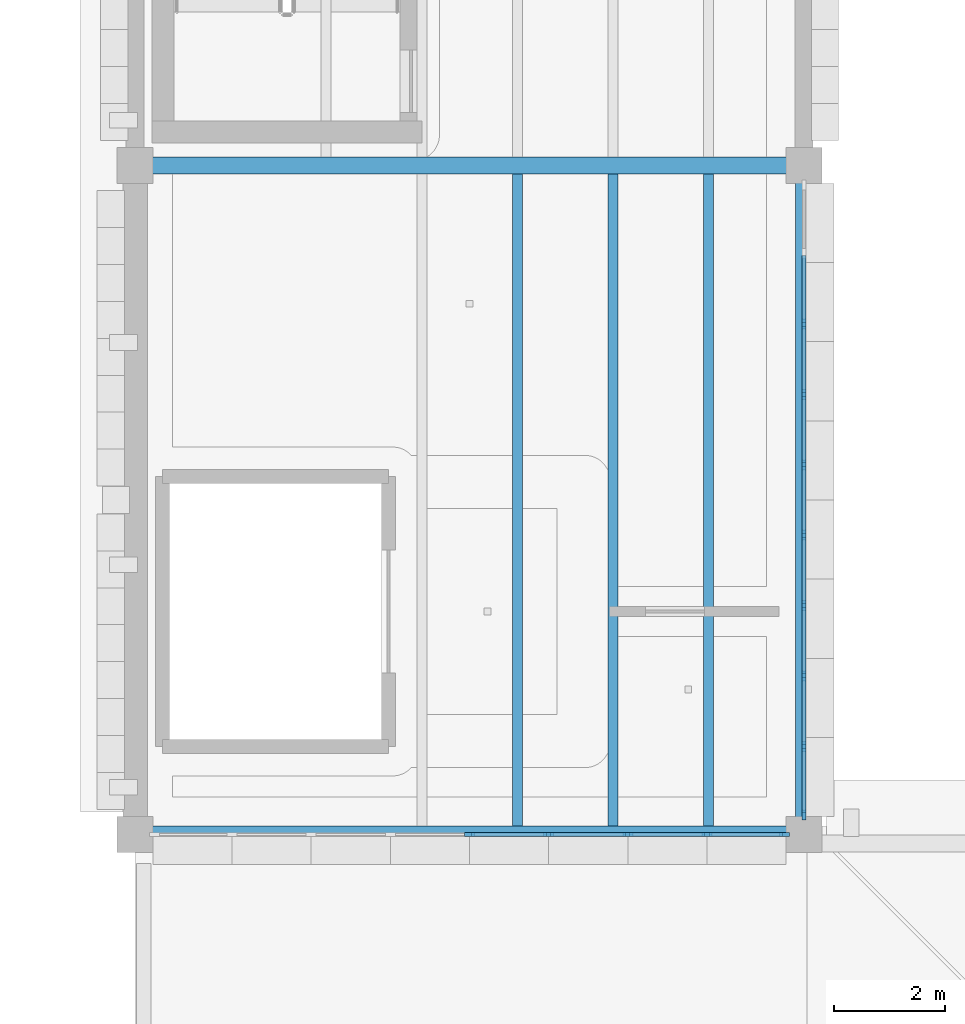
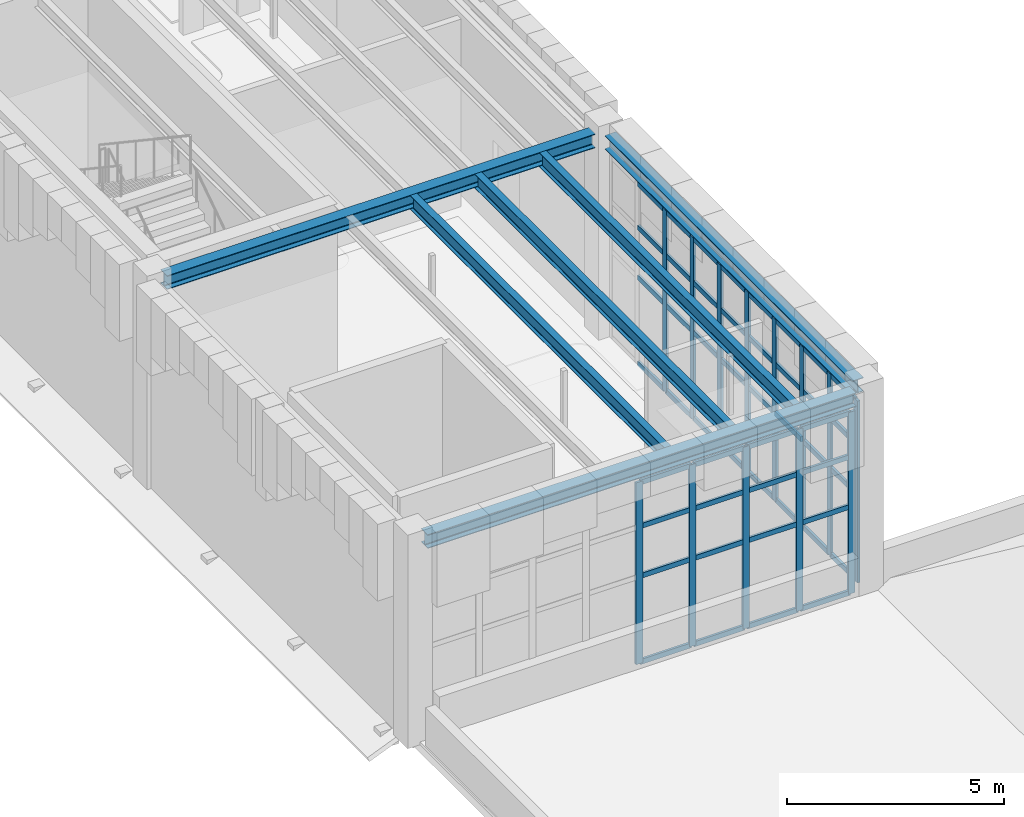
# One storey, part 30 of 83: 61 members, 6 beams, 2 elements without a shape of their own.
"""IFC4 building model written with IfcOpenShell, lengths in metres."""

from ifc_helpers import new_model, si_unit, direction, frame, origin, origin_2d, place, context, subcontext, project, spatial, rectangle, i_section, extrude, material, layer, layer_set, material_profile, profile_set, type_object, element, aggregate, save


model = new_model("IFC4")

# Units and contexts
model_context = context("Model", 3, precision=1e-05, world=origin(), true_north=direction((0.0, 1.0)))
body_context = subcontext(model_context, "Body", "Model", "MODEL_VIEW")
ifc_project = project(units=[si_unit("LENGTHUNIT", "METRE"), si_unit("AREAUNIT", "SQUARE_METRE"), si_unit("VOLUMEUNIT", "CUBIC_METRE"), si_unit("PLANEANGLEUNIT", "RADIAN"), si_unit("MASSUNIT", "GRAM", prefix="KILO")], contexts=[model_context])

# Site, building, storey
site_placement = place(None, origin())
site = spatial("IfcSite", under=ifc_project, at=site_placement, CompositionType="ELEMENT")
building_placement = place(site_placement, origin())
building = spatial("IfcBuilding", under=site, at=building_placement, Name="Zlatogorsky Bluff Art Gallery", CompositionType="ELEMENT")
storey_placement = place(building_placement, frame((0.0, 0.0, 10.800048828125)))
storey = spatial("IfcBuildingStorey", under=building, at=storey_placement, Name="L02", CompositionType="ELEMENT", Elevation=10.800048828125)

# Beams
ifc_material_1 = material(Name="Steel S355", Category="steel")
ifc_material_profile_1 = material_profile(ifc_material_1, i_section(OverallWidth=0.300048828125, OverallDepth=0.389892578125, WebThickness=0.010986328125, FlangeThickness=0.01904296875, FilletRadius=0.027099609375, at=origin_2d()), Name="HEA 400")
ifc_profile_set_1 = profile_set([ifc_material_profile_1], Name="Steel S355")
beam_type_1 = type_object("IfcBeamType", Name="Beam BM-09 HEA 400", PredefinedType="BEAM", material=ifc_profile_set_1)
for number, where, z_axis, x_axis, name in (
    (1, (120.304931640625, 50.39990234375, 5.494873046875), (1.0, 0.0, 0.0), (0.0, 1.0, 0.0), "Primary girder BM-09 L02 L-M/6"),
    (2, (120.304931640625, 62.39990234375, 5.494873046875), (1.0, 0.0, 0.0), (0.0, 1.0, 0.0), "Primary girder BM-09 L02 L-M/7"),
):
    element("IfcBeam", number, at=place(storey_placement, frame(where, z_axis=z_axis, x_axis=x_axis)), inside=storey, type_object=beam_type_1, Name=name, PredefinedType="BEAM", context=body_context, shape_type="SweptSolid", body=[
        extrude(i_section(OverallWidth=0.300048828125, OverallDepth=0.389892578125, WebThickness=0.010986328125, FlangeThickness=0.01904296875, FilletRadius=0.027099609375, at=origin_2d()), origin(), (0.0, 0.0, 1.0), 11.39013671875),
    ])
beam_placement = place(storey_placement, frame((132.0, 50.705078125, 5.494873046875), z_axis=(0.0, 1.0, 0.0), x_axis=(-1.0, 0.0, 0.0)))
element("IfcBeam", 3, at=beam_placement, inside=storey, type_object=beam_type_1, Name="Primary girder BM-09 L02 M/6-7", PredefinedType="BEAM", context=body_context, shape_type="SweptSolid", body=[
    extrude(i_section(OverallWidth=0.300048828125, OverallDepth=0.389892578125, WebThickness=0.010986328125, FlangeThickness=0.01904296875, FilletRadius=0.027099609375, at=origin_2d()), origin(), (0.0, 0.0, 1.0), 11.389892578125),
])
ifc_material_profile_2 = material_profile(ifc_material_1, i_section(OverallWidth=0.179931640625, OverallDepth=0.39990234375, WebThickness=0.008544921875, FlangeThickness=0.013427734375, FilletRadius=0.02099609375, at=origin_2d()), Name="IPE 400")
ifc_profile_set_2 = profile_set([ifc_material_profile_2], Name="Steel S355")
beam_type_2 = type_object("IfcBeamType", Name="Beam JS-05 IPE 400", PredefinedType="JOIST", material=ifc_profile_set_2)
for number, where, z_axis, x_axis, name in (
    (4, (126.857177734375, 50.550048828125, 5.489990234375), (0.0, 1.0, 0.0), (-1.0, 0.0, 0.0), "Composite floor joist JS-05 L02 10.05.4"),
    (5, (128.571533203125, 50.550048828125, 5.489990234375), (0.0, 1.0, 0.0), (-1.0, 0.0, 0.0), "Composite floor joist JS-05 L02 10.05.5"),
    (6, (130.28564453125, 50.550048828125, 5.489990234375), (0.0, 1.0, 0.0), (-1.0, 0.0, 0.0), "Composite floor joist JS-05 L02 10.05.6"),
):
    element("IfcBeam", number, at=place(storey_placement, frame(where, z_axis=z_axis, x_axis=x_axis)), inside=storey, type_object=beam_type_2, Name=name, PredefinedType="JOIST", context=body_context, shape_type="SweptSolid", body=[
        extrude(i_section(OverallWidth=0.179931640625, OverallDepth=0.39990234375, WebThickness=0.008544921875, FlangeThickness=0.013427734375, FilletRadius=0.02099609375, at=origin_2d()), origin(), (0.0, 0.0, 1.0), 11.699951171875),
    ])

# Curtain wall, members
ifc_material_2 = material(Name="Anodised Bronze Aluminium and Low-Iron Triple Glazing", Category="aluminium")
ifc_layer_1 = layer(ifc_material_2, 0.199951171875)
ifc_layer_set_1 = layer_set([ifc_layer_1], Name="Curtain Wall CW-02")
curtain_wall_type_1 = type_object("IfcCurtainWallType", Name="Curtain Wall CW-02", PredefinedType="USERDEFINED", material=ifc_layer_set_1)
curtain_wall_1_placement = place(storey_placement, origin())
curtain_wall_1 = element("IfcCurtainWall", 7, at=curtain_wall_1_placement, inside=storey, type_object=curtain_wall_type_1, Name="Unitised curtain wall CW-02 L02 S 10.5", ObjectType="CURTAIN WALL", PredefinedType="USERDEFINED")
ifc_material_3 = material(Name="Anodised Bronze Aluminium", Category="aluminium")
ifc_material_profile_3 = material_profile(ifc_material_3, rectangle(XDim=0.06494140625, YDim=0.179931640625, at=origin_2d()), Name="ALU MULLION 65x180")
ifc_profile_set_3 = profile_set([ifc_material_profile_3], Name="Anodised Bronze Aluminium")
member_type_1 = type_object("IfcMemberType", Name="Curtain Mullion ML-01", PredefinedType="MULLION", material=ifc_profile_set_3)
member_1_placement = place(storey_placement, frame((126.0, 50.39990234375, 0.0), z_axis=(0.0, 0.0, 1.0), x_axis=(0.0, 1.0, 0.0)))
member_1 = element("IfcMember", 8, at=member_1_placement, type_object=member_type_1, Name="CW-02 mullion 5", PredefinedType="MULLION", context=body_context, shape_type="SweptSolid", body=[
    extrude(rectangle(XDim=0.06494140625, YDim=0.179931640625, at=origin_2d()), origin(), (0.0, 0.0, 1.0), 5.10986328125),
])
member_2_placement = place(storey_placement, frame((127.419921875, 50.39990234375, 0.0), z_axis=(0.0, 0.0, 1.0), x_axis=(0.0, 1.0, 0.0)))
member_2 = element("IfcMember", 9, at=member_2_placement, type_object=member_type_1, Name="CW-02 mullion 6", PredefinedType="MULLION", context=body_context, shape_type="SweptSolid", body=[
    extrude(rectangle(XDim=0.06494140625, YDim=0.179931640625, at=origin_2d()), origin(), (0.0, 0.0, 1.0), 5.10986328125),
])
member_3_placement = place(storey_placement, frame((128.840087890625, 50.39990234375, 0.0), z_axis=(0.0, 0.0, 1.0), x_axis=(0.0, 1.0, 0.0)))
member_3 = element("IfcMember", 10, at=member_3_placement, type_object=member_type_1, Name="CW-02 mullion 7", PredefinedType="MULLION", context=body_context, shape_type="SweptSolid", body=[
    extrude(rectangle(XDim=0.06494140625, YDim=0.179931640625, at=origin_2d()), origin(), (0.0, 0.0, 1.0), 5.10986328125),
])
member_4_placement = place(storey_placement, frame((130.260009765625, 50.39990234375, 0.0), z_axis=(0.0, 0.0, 1.0), x_axis=(0.0, 1.0, 0.0)))
member_4 = element("IfcMember", 11, at=member_4_placement, type_object=member_type_1, Name="CW-02 mullion 8", PredefinedType="MULLION", context=body_context, shape_type="SweptSolid", body=[
    extrude(rectangle(XDim=0.06494140625, YDim=0.179931640625, at=origin_2d()), origin(), (0.0, 0.0, 1.0), 5.10986328125),
])
member_5_placement = place(storey_placement, frame((131.6474609375, 50.39990234375, 0.0), z_axis=(0.0, 0.0, 1.0), x_axis=(0.0, 1.0, 0.0)))
member_5 = element("IfcMember", 12, at=member_5_placement, type_object=member_type_1, Name="CW-02 mullion 9", PredefinedType="MULLION", context=body_context, shape_type="SweptSolid", body=[
    extrude(rectangle(XDim=0.06494140625, YDim=0.179931640625, at=origin_2d()), origin(), (0.0, 0.0, 1.0), 5.10986328125),
])

ifc_layer_2 = layer(ifc_material_2, 0.179931640625)
ifc_layer_set_2 = layer_set([ifc_layer_2], Name="Curtain Wall CW-03")
curtain_wall_type_2 = type_object("IfcCurtainWallType", Name="Curtain Wall CW-03", PredefinedType="USERDEFINED", material=ifc_layer_set_2)
curtain_wall_2_placement = place(storey_placement, origin())
curtain_wall_2 = element("IfcCurtainWall", 13, at=curtain_wall_2_placement, inside=storey, type_object=curtain_wall_type_2, Name="Unitised curtain wall CW-03 L02 E 10.5", ObjectType="CURTAIN WALL", PredefinedType="USERDEFINED")
member_6_placement = place(storey_placement, frame((132.0, 50.75244140625, 0.0), z_axis=(0.0, 0.0, 1.0), x_axis=(-1.0, 0.0, 0.0)))
member_6 = element("IfcMember", 14, at=member_6_placement, type_object=member_type_1, Name="CW-03 mullion 1", PredefinedType="MULLION", context=body_context, shape_type="SweptSolid", body=[
    extrude(rectangle(XDim=0.06494140625, YDim=0.179931640625, at=origin_2d()), origin(), (0.0, 0.0, 1.0), 5.10986328125),
])
member_7_placement = place(storey_placement, frame((132.0, 51.982177734375, 0.0), z_axis=(0.0, 0.0, 1.0), x_axis=(-1.0, 0.0, 0.0)))
member_7 = element("IfcMember", 15, at=member_7_placement, type_object=member_type_1, Name="CW-03 mullion 2", PredefinedType="MULLION", context=body_context, shape_type="SweptSolid", body=[
    extrude(rectangle(XDim=0.06494140625, YDim=0.179931640625, at=origin_2d()), origin(), (0.0, 0.0, 1.0), 5.10986328125),
])
member_8_placement = place(storey_placement, frame((132.0, 53.244384765625, 0.0), z_axis=(0.0, 0.0, 1.0), x_axis=(-1.0, 0.0, 0.0)))
member_8 = element("IfcMember", 16, at=member_8_placement, type_object=member_type_1, Name="CW-03 mullion 3", PredefinedType="MULLION", context=body_context, shape_type="SweptSolid", body=[
    extrude(rectangle(XDim=0.06494140625, YDim=0.179931640625, at=origin_2d()), origin(), (0.0, 0.0, 1.0), 5.10986328125),
])
member_9_placement = place(storey_placement, frame((132.0, 54.506591796875, 0.0), z_axis=(0.0, 0.0, 1.0), x_axis=(-1.0, 0.0, 0.0)))
member_9 = element("IfcMember", 17, at=member_9_placement, type_object=member_type_1, Name="CW-03 mullion 4", PredefinedType="MULLION", context=body_context, shape_type="SweptSolid", body=[
    extrude(rectangle(XDim=0.06494140625, YDim=0.179931640625, at=origin_2d()), origin(), (0.0, 0.0, 1.0), 5.10986328125),
])
member_10_placement = place(storey_placement, frame((132.0, 55.768798828125, 0.0), z_axis=(0.0, 0.0, 1.0), x_axis=(-1.0, 0.0, 0.0)))
member_10 = element("IfcMember", 18, at=member_10_placement, type_object=member_type_1, Name="CW-03 mullion 5", PredefinedType="MULLION", context=body_context, shape_type="SweptSolid", body=[
    extrude(rectangle(XDim=0.06494140625, YDim=0.179931640625, at=origin_2d()), origin(), (0.0, 0.0, 1.0), 5.10986328125),
])
member_11_placement = place(storey_placement, frame((132.0, 57.031005859375, 0.0), z_axis=(0.0, 0.0, 1.0), x_axis=(-1.0, 0.0, 0.0)))
member_11 = element("IfcMember", 19, at=member_11_placement, type_object=member_type_1, Name="CW-03 mullion 6", PredefinedType="MULLION", context=body_context, shape_type="SweptSolid", body=[
    extrude(rectangle(XDim=0.06494140625, YDim=0.179931640625, at=origin_2d()), origin(), (0.0, 0.0, 1.0), 5.10986328125),
])
member_12_placement = place(storey_placement, frame((132.0, 58.293212890625, 0.0), z_axis=(0.0, 0.0, 1.0), x_axis=(-1.0, 0.0, 0.0)))
member_12 = element("IfcMember", 20, at=member_12_placement, type_object=member_type_1, Name="CW-03 mullion 7", PredefinedType="MULLION", context=body_context, shape_type="SweptSolid", body=[
    extrude(rectangle(XDim=0.06494140625, YDim=0.179931640625, at=origin_2d()), origin(), (0.0, 0.0, 1.0), 5.10986328125),
])
member_13_placement = place(storey_placement, frame((132.0, 59.5556640625, 0.0), z_axis=(0.0, 0.0, 1.0), x_axis=(-1.0, 0.0, 0.0)))
member_13 = element("IfcMember", 21, at=member_13_placement, type_object=member_type_1, Name="CW-03 mullion 8", PredefinedType="MULLION", context=body_context, shape_type="SweptSolid", body=[
    extrude(rectangle(XDim=0.06494140625, YDim=0.179931640625, at=origin_2d()), origin(), (0.0, 0.0, 1.0), 5.10986328125),
])

# Member
ifc_material_profile_4 = material_profile(ifc_material_3, rectangle(XDim=0.06494140625, YDim=0.139892578125, at=origin_2d()), Name="ALU TRANSOM 65x140")
ifc_profile_set_4 = profile_set([ifc_material_profile_4], Name="Anodised Bronze Aluminium")
member_type_2 = type_object("IfcMemberType", Name="Curtain Transom TR-01", PredefinedType="USERDEFINED", material=ifc_profile_set_4)
member_14_placement = place(storey_placement, frame((126.032470703125, 50.39990234375, 0.032470703125), z_axis=(1.0, 0.0, 0.0), x_axis=(0.0, 1.0, 0.0)))
member_14 = element("IfcMember", 22, at=member_14_placement, type_object=member_type_2, Name="CW-02 transom 5.1", ObjectType="TRANSOM", PredefinedType="USERDEFINED", context=body_context, shape_type="SweptSolid", body=[
    extrude(rectangle(XDim=0.06494140625, YDim=0.139892578125, at=origin_2d()), origin(), (0.0, 0.0, 1.0), 1.35498046875),
])

member_15_placement = place(storey_placement, frame((126.032470703125, 50.39990234375, 2.449951171875), z_axis=(1.0, 0.0, 0.0), x_axis=(0.0, 1.0, 0.0)))
member_15 = element("IfcMember", 23, at=member_15_placement, type_object=member_type_2, Name="CW-02 transom 5.2", ObjectType="TRANSOM", PredefinedType="USERDEFINED", context=body_context, shape_type="SweptSolid", body=[
    extrude(rectangle(XDim=0.06494140625, YDim=0.139892578125, at=origin_2d()), origin(), (0.0, 0.0, 1.0), 1.35498046875),
])

member_16_placement = place(storey_placement, frame((126.032470703125, 50.39990234375, 3.849853515625), z_axis=(1.0, 0.0, 0.0), x_axis=(0.0, 1.0, 0.0)))
member_16 = element("IfcMember", 24, at=member_16_placement, type_object=member_type_2, Name="CW-02 transom 5.3", ObjectType="TRANSOM", PredefinedType="USERDEFINED", context=body_context, shape_type="SweptSolid", body=[
    extrude(rectangle(XDim=0.06494140625, YDim=0.139892578125, at=origin_2d()), origin(), (0.0, 0.0, 1.0), 1.35498046875),
])

member_17_placement = place(storey_placement, frame((126.032470703125, 50.39990234375, 5.077392578125), z_axis=(1.0, 0.0, 0.0), x_axis=(0.0, 1.0, 0.0)))
member_17 = element("IfcMember", 25, at=member_17_placement, type_object=member_type_2, Name="CW-02 transom 5.4", ObjectType="TRANSOM", PredefinedType="USERDEFINED", context=body_context, shape_type="SweptSolid", body=[
    extrude(rectangle(XDim=0.06494140625, YDim=0.139892578125, at=origin_2d()), origin(), (0.0, 0.0, 1.0), 1.35498046875),
])

member_18_placement = place(storey_placement, frame((127.452392578125, 50.39990234375, 0.032470703125), z_axis=(1.0, 0.0, 0.0), x_axis=(0.0, 1.0, 0.0)))
member_18 = element("IfcMember", 26, at=member_18_placement, type_object=member_type_2, Name="CW-02 transom 6.1", ObjectType="TRANSOM", PredefinedType="USERDEFINED", context=body_context, shape_type="SweptSolid", body=[
    extrude(rectangle(XDim=0.06494140625, YDim=0.139892578125, at=origin_2d()), origin(), (0.0, 0.0, 1.0), 1.355224609375),
])

member_19_placement = place(storey_placement, frame((127.452392578125, 50.39990234375, 2.449951171875), z_axis=(1.0, 0.0, 0.0), x_axis=(0.0, 1.0, 0.0)))
member_19 = element("IfcMember", 27, at=member_19_placement, type_object=member_type_2, Name="CW-02 transom 6.2", ObjectType="TRANSOM", PredefinedType="USERDEFINED", context=body_context, shape_type="SweptSolid", body=[
    extrude(rectangle(XDim=0.06494140625, YDim=0.139892578125, at=origin_2d()), origin(), (0.0, 0.0, 1.0), 1.355224609375),
])

member_20_placement = place(storey_placement, frame((127.452392578125, 50.39990234375, 3.849853515625), z_axis=(1.0, 0.0, 0.0), x_axis=(0.0, 1.0, 0.0)))
member_20 = element("IfcMember", 28, at=member_20_placement, type_object=member_type_2, Name="CW-02 transom 6.3", ObjectType="TRANSOM", PredefinedType="USERDEFINED", context=body_context, shape_type="SweptSolid", body=[
    extrude(rectangle(XDim=0.06494140625, YDim=0.139892578125, at=origin_2d()), origin(), (0.0, 0.0, 1.0), 1.355224609375),
])

member_21_placement = place(storey_placement, frame((127.452392578125, 50.39990234375, 5.077392578125), z_axis=(1.0, 0.0, 0.0), x_axis=(0.0, 1.0, 0.0)))
member_21 = element("IfcMember", 29, at=member_21_placement, type_object=member_type_2, Name="CW-02 transom 6.4", ObjectType="TRANSOM", PredefinedType="USERDEFINED", context=body_context, shape_type="SweptSolid", body=[
    extrude(rectangle(XDim=0.06494140625, YDim=0.139892578125, at=origin_2d()), origin(), (0.0, 0.0, 1.0), 1.355224609375),
])

member_22_placement = place(storey_placement, frame((128.87255859375, 50.39990234375, 0.032470703125), z_axis=(1.0, 0.0, 0.0), x_axis=(0.0, 1.0, 0.0)))
member_22 = element("IfcMember", 30, at=member_22_placement, type_object=member_type_2, Name="CW-02 transom 7.1", ObjectType="TRANSOM", PredefinedType="USERDEFINED", context=body_context, shape_type="SweptSolid", body=[
    extrude(rectangle(XDim=0.06494140625, YDim=0.139892578125, at=origin_2d()), origin(), (0.0, 0.0, 1.0), 1.35498046875),
])

member_23_placement = place(storey_placement, frame((128.87255859375, 50.39990234375, 2.449951171875), z_axis=(1.0, 0.0, 0.0), x_axis=(0.0, 1.0, 0.0)))
member_23 = element("IfcMember", 31, at=member_23_placement, type_object=member_type_2, Name="CW-02 transom 7.2", ObjectType="TRANSOM", PredefinedType="USERDEFINED", context=body_context, shape_type="SweptSolid", body=[
    extrude(rectangle(XDim=0.06494140625, YDim=0.139892578125, at=origin_2d()), origin(), (0.0, 0.0, 1.0), 1.35498046875),
])

member_24_placement = place(storey_placement, frame((128.87255859375, 50.39990234375, 3.849853515625), z_axis=(1.0, 0.0, 0.0), x_axis=(0.0, 1.0, 0.0)))
member_24 = element("IfcMember", 32, at=member_24_placement, type_object=member_type_2, Name="CW-02 transom 7.3", ObjectType="TRANSOM", PredefinedType="USERDEFINED", context=body_context, shape_type="SweptSolid", body=[
    extrude(rectangle(XDim=0.06494140625, YDim=0.139892578125, at=origin_2d()), origin(), (0.0, 0.0, 1.0), 1.35498046875),
])

member_25_placement = place(storey_placement, frame((128.87255859375, 50.39990234375, 5.077392578125), z_axis=(1.0, 0.0, 0.0), x_axis=(0.0, 1.0, 0.0)))
member_25 = element("IfcMember", 33, at=member_25_placement, type_object=member_type_2, Name="CW-02 transom 7.4", ObjectType="TRANSOM", PredefinedType="USERDEFINED", context=body_context, shape_type="SweptSolid", body=[
    extrude(rectangle(XDim=0.06494140625, YDim=0.139892578125, at=origin_2d()), origin(), (0.0, 0.0, 1.0), 1.35498046875),
])

member_26_placement = place(storey_placement, frame((130.29248046875, 50.39990234375, 0.032470703125), z_axis=(1.0, 0.0, 0.0), x_axis=(0.0, 1.0, 0.0)))
member_26 = element("IfcMember", 34, at=member_26_placement, type_object=member_type_2, Name="CW-02 transom 8.1", ObjectType="TRANSOM", PredefinedType="USERDEFINED", context=body_context, shape_type="SweptSolid", body=[
    extrude(rectangle(XDim=0.06494140625, YDim=0.139892578125, at=origin_2d()), origin(), (0.0, 0.0, 1.0), 1.322509765625),
])

member_27_placement = place(storey_placement, frame((130.29248046875, 50.39990234375, 2.449951171875), z_axis=(1.0, 0.0, 0.0), x_axis=(0.0, 1.0, 0.0)))
member_27 = element("IfcMember", 35, at=member_27_placement, type_object=member_type_2, Name="CW-02 transom 8.2", ObjectType="TRANSOM", PredefinedType="USERDEFINED", context=body_context, shape_type="SweptSolid", body=[
    extrude(rectangle(XDim=0.06494140625, YDim=0.139892578125, at=origin_2d()), origin(), (0.0, 0.0, 1.0), 1.322509765625),
])

member_28_placement = place(storey_placement, frame((130.29248046875, 50.39990234375, 3.849853515625), z_axis=(1.0, 0.0, 0.0), x_axis=(0.0, 1.0, 0.0)))
member_28 = element("IfcMember", 36, at=member_28_placement, type_object=member_type_2, Name="CW-02 transom 8.3", ObjectType="TRANSOM", PredefinedType="USERDEFINED", context=body_context, shape_type="SweptSolid", body=[
    extrude(rectangle(XDim=0.06494140625, YDim=0.139892578125, at=origin_2d()), origin(), (0.0, 0.0, 1.0), 1.322509765625),
])

member_29_placement = place(storey_placement, frame((130.29248046875, 50.39990234375, 5.077392578125), z_axis=(1.0, 0.0, 0.0), x_axis=(0.0, 1.0, 0.0)))
member_29 = element("IfcMember", 37, at=member_29_placement, type_object=member_type_2, Name="CW-02 transom 8.4", ObjectType="TRANSOM", PredefinedType="USERDEFINED", context=body_context, shape_type="SweptSolid", body=[
    extrude(rectangle(XDim=0.06494140625, YDim=0.139892578125, at=origin_2d()), origin(), (0.0, 0.0, 1.0), 1.322509765625),
])

aggregate(curtain_wall_1, [member_1, member_2, member_3, member_4, member_5, member_14, member_15, member_16, member_17, member_18, member_19, member_20, member_21, member_22, member_23, member_24, member_25, member_26, member_27, member_28, member_29])

member_30_placement = place(storey_placement, frame((132.0, 50.784912109375, 0.032470703125), z_axis=(0.0, 1.0, 0.0), x_axis=(-1.0, 0.0, 0.0)))
member_30 = element("IfcMember", 38, at=member_30_placement, type_object=member_type_2, Name="CW-03 transom 1.1", ObjectType="TRANSOM", PredefinedType="USERDEFINED", context=body_context, shape_type="SweptSolid", body=[
    extrude(rectangle(XDim=0.06494140625, YDim=0.139892578125, at=origin_2d()), origin(), (0.0, 0.0, 1.0), 1.164794921875),
])

member_31_placement = place(storey_placement, frame((132.0, 50.784912109375, 2.449951171875), z_axis=(0.0, 1.0, 0.0), x_axis=(-1.0, 0.0, 0.0)))
member_31 = element("IfcMember", 39, at=member_31_placement, type_object=member_type_2, Name="CW-03 transom 1.2", ObjectType="TRANSOM", PredefinedType="USERDEFINED", context=body_context, shape_type="SweptSolid", body=[
    extrude(rectangle(XDim=0.06494140625, YDim=0.139892578125, at=origin_2d()), origin(), (0.0, 0.0, 1.0), 1.164794921875),
])

member_32_placement = place(storey_placement, frame((132.0, 50.784912109375, 3.849853515625), z_axis=(0.0, 1.0, 0.0), x_axis=(-1.0, 0.0, 0.0)))
member_32 = element("IfcMember", 40, at=member_32_placement, type_object=member_type_2, Name="CW-03 transom 1.3", ObjectType="TRANSOM", PredefinedType="USERDEFINED", context=body_context, shape_type="SweptSolid", body=[
    extrude(rectangle(XDim=0.06494140625, YDim=0.139892578125, at=origin_2d()), origin(), (0.0, 0.0, 1.0), 1.164794921875),
])

member_33_placement = place(storey_placement, frame((132.0, 50.784912109375, 5.077392578125), z_axis=(0.0, 1.0, 0.0), x_axis=(-1.0, 0.0, 0.0)))
member_33 = element("IfcMember", 41, at=member_33_placement, type_object=member_type_2, Name="CW-03 transom 1.4", ObjectType="TRANSOM", PredefinedType="USERDEFINED", context=body_context, shape_type="SweptSolid", body=[
    extrude(rectangle(XDim=0.06494140625, YDim=0.139892578125, at=origin_2d()), origin(), (0.0, 0.0, 1.0), 1.164794921875),
])

member_34_placement = place(storey_placement, frame((132.0, 52.0146484375, 0.032470703125), z_axis=(0.0, 1.0, 0.0), x_axis=(-1.0, 0.0, 0.0)))
member_34 = element("IfcMember", 42, at=member_34_placement, type_object=member_type_2, Name="CW-03 transom 2.1", ObjectType="TRANSOM", PredefinedType="USERDEFINED", context=body_context, shape_type="SweptSolid", body=[
    extrude(rectangle(XDim=0.06494140625, YDim=0.139892578125, at=origin_2d()), origin(), (0.0, 0.0, 1.0), 1.197265625),
])

member_35_placement = place(storey_placement, frame((132.0, 52.0146484375, 2.449951171875), z_axis=(0.0, 1.0, 0.0), x_axis=(-1.0, 0.0, 0.0)))
member_35 = element("IfcMember", 43, at=member_35_placement, type_object=member_type_2, Name="CW-03 transom 2.2", ObjectType="TRANSOM", PredefinedType="USERDEFINED", context=body_context, shape_type="SweptSolid", body=[
    extrude(rectangle(XDim=0.06494140625, YDim=0.139892578125, at=origin_2d()), origin(), (0.0, 0.0, 1.0), 1.197265625),
])

member_36_placement = place(storey_placement, frame((132.0, 52.0146484375, 3.849853515625), z_axis=(0.0, 1.0, 0.0), x_axis=(-1.0, 0.0, 0.0)))
member_36 = element("IfcMember", 44, at=member_36_placement, type_object=member_type_2, Name="CW-03 transom 2.3", ObjectType="TRANSOM", PredefinedType="USERDEFINED", context=body_context, shape_type="SweptSolid", body=[
    extrude(rectangle(XDim=0.06494140625, YDim=0.139892578125, at=origin_2d()), origin(), (0.0, 0.0, 1.0), 1.197265625),
])

member_37_placement = place(storey_placement, frame((132.0, 52.0146484375, 5.077392578125), z_axis=(0.0, 1.0, 0.0), x_axis=(-1.0, 0.0, 0.0)))
member_37 = element("IfcMember", 45, at=member_37_placement, type_object=member_type_2, Name="CW-03 transom 2.4", ObjectType="TRANSOM", PredefinedType="USERDEFINED", context=body_context, shape_type="SweptSolid", body=[
    extrude(rectangle(XDim=0.06494140625, YDim=0.139892578125, at=origin_2d()), origin(), (0.0, 0.0, 1.0), 1.197265625),
])

member_38_placement = place(storey_placement, frame((132.0, 53.27685546875, 0.032470703125), z_axis=(0.0, 1.0, 0.0), x_axis=(-1.0, 0.0, 0.0)))
member_38 = element("IfcMember", 46, at=member_38_placement, type_object=member_type_2, Name="CW-03 transom 3.1", ObjectType="TRANSOM", PredefinedType="USERDEFINED", context=body_context, shape_type="SweptSolid", body=[
    extrude(rectangle(XDim=0.06494140625, YDim=0.139892578125, at=origin_2d()), origin(), (0.0, 0.0, 1.0), 1.197265625),
])

member_39_placement = place(storey_placement, frame((132.0, 53.27685546875, 2.449951171875), z_axis=(0.0, 1.0, 0.0), x_axis=(-1.0, 0.0, 0.0)))
member_39 = element("IfcMember", 47, at=member_39_placement, type_object=member_type_2, Name="CW-03 transom 3.2", ObjectType="TRANSOM", PredefinedType="USERDEFINED", context=body_context, shape_type="SweptSolid", body=[
    extrude(rectangle(XDim=0.06494140625, YDim=0.139892578125, at=origin_2d()), origin(), (0.0, 0.0, 1.0), 1.197265625),
])

member_40_placement = place(storey_placement, frame((132.0, 53.27685546875, 3.849853515625), z_axis=(0.0, 1.0, 0.0), x_axis=(-1.0, 0.0, 0.0)))
member_40 = element("IfcMember", 48, at=member_40_placement, type_object=member_type_2, Name="CW-03 transom 3.3", ObjectType="TRANSOM", PredefinedType="USERDEFINED", context=body_context, shape_type="SweptSolid", body=[
    extrude(rectangle(XDim=0.06494140625, YDim=0.139892578125, at=origin_2d()), origin(), (0.0, 0.0, 1.0), 1.197265625),
])

member_41_placement = place(storey_placement, frame((132.0, 53.27685546875, 5.077392578125), z_axis=(0.0, 1.0, 0.0), x_axis=(-1.0, 0.0, 0.0)))
member_41 = element("IfcMember", 49, at=member_41_placement, type_object=member_type_2, Name="CW-03 transom 3.4", ObjectType="TRANSOM", PredefinedType="USERDEFINED", context=body_context, shape_type="SweptSolid", body=[
    extrude(rectangle(XDim=0.06494140625, YDim=0.139892578125, at=origin_2d()), origin(), (0.0, 0.0, 1.0), 1.197265625),
])

member_42_placement = place(storey_placement, frame((132.0, 54.5390625, 0.032470703125), z_axis=(0.0, 1.0, 0.0), x_axis=(-1.0, 0.0, 0.0)))
member_42 = element("IfcMember", 50, at=member_42_placement, type_object=member_type_2, Name="CW-03 transom 4.1", ObjectType="TRANSOM", PredefinedType="USERDEFINED", context=body_context, shape_type="SweptSolid", body=[
    extrude(rectangle(XDim=0.06494140625, YDim=0.139892578125, at=origin_2d()), origin(), (0.0, 0.0, 1.0), 1.197265625),
])

member_43_placement = place(storey_placement, frame((132.0, 54.5390625, 2.449951171875), z_axis=(0.0, 1.0, 0.0), x_axis=(-1.0, 0.0, 0.0)))
member_43 = element("IfcMember", 51, at=member_43_placement, type_object=member_type_2, Name="CW-03 transom 4.2", ObjectType="TRANSOM", PredefinedType="USERDEFINED", context=body_context, shape_type="SweptSolid", body=[
    extrude(rectangle(XDim=0.06494140625, YDim=0.139892578125, at=origin_2d()), origin(), (0.0, 0.0, 1.0), 1.197265625),
])

member_44_placement = place(storey_placement, frame((132.0, 54.5390625, 3.849853515625), z_axis=(0.0, 1.0, 0.0), x_axis=(-1.0, 0.0, 0.0)))
member_44 = element("IfcMember", 52, at=member_44_placement, type_object=member_type_2, Name="CW-03 transom 4.3", ObjectType="TRANSOM", PredefinedType="USERDEFINED", context=body_context, shape_type="SweptSolid", body=[
    extrude(rectangle(XDim=0.06494140625, YDim=0.139892578125, at=origin_2d()), origin(), (0.0, 0.0, 1.0), 1.197265625),
])

member_45_placement = place(storey_placement, frame((132.0, 54.5390625, 5.077392578125), z_axis=(0.0, 1.0, 0.0), x_axis=(-1.0, 0.0, 0.0)))
member_45 = element("IfcMember", 53, at=member_45_placement, type_object=member_type_2, Name="CW-03 transom 4.4", ObjectType="TRANSOM", PredefinedType="USERDEFINED", context=body_context, shape_type="SweptSolid", body=[
    extrude(rectangle(XDim=0.06494140625, YDim=0.139892578125, at=origin_2d()), origin(), (0.0, 0.0, 1.0), 1.197265625),
])

member_46_placement = place(storey_placement, frame((132.0, 55.80126953125, 0.032470703125), z_axis=(0.0, 1.0, 0.0), x_axis=(-1.0, 0.0, 0.0)))
member_46 = element("IfcMember", 54, at=member_46_placement, type_object=member_type_2, Name="CW-03 transom 5.1", ObjectType="TRANSOM", PredefinedType="USERDEFINED", context=body_context, shape_type="SweptSolid", body=[
    extrude(rectangle(XDim=0.06494140625, YDim=0.139892578125, at=origin_2d()), origin(), (0.0, 0.0, 1.0), 1.197265625),
])

member_47_placement = place(storey_placement, frame((132.0, 55.80126953125, 2.449951171875), z_axis=(0.0, 1.0, 0.0), x_axis=(-1.0, 0.0, 0.0)))
member_47 = element("IfcMember", 55, at=member_47_placement, type_object=member_type_2, Name="CW-03 transom 5.2", ObjectType="TRANSOM", PredefinedType="USERDEFINED", context=body_context, shape_type="SweptSolid", body=[
    extrude(rectangle(XDim=0.06494140625, YDim=0.139892578125, at=origin_2d()), origin(), (0.0, 0.0, 1.0), 1.197265625),
])

member_48_placement = place(storey_placement, frame((132.0, 55.80126953125, 3.849853515625), z_axis=(0.0, 1.0, 0.0), x_axis=(-1.0, 0.0, 0.0)))
member_48 = element("IfcMember", 56, at=member_48_placement, type_object=member_type_2, Name="CW-03 transom 5.3", ObjectType="TRANSOM", PredefinedType="USERDEFINED", context=body_context, shape_type="SweptSolid", body=[
    extrude(rectangle(XDim=0.06494140625, YDim=0.139892578125, at=origin_2d()), origin(), (0.0, 0.0, 1.0), 1.197265625),
])

member_49_placement = place(storey_placement, frame((132.0, 55.80126953125, 5.077392578125), z_axis=(0.0, 1.0, 0.0), x_axis=(-1.0, 0.0, 0.0)))
member_49 = element("IfcMember", 57, at=member_49_placement, type_object=member_type_2, Name="CW-03 transom 5.4", ObjectType="TRANSOM", PredefinedType="USERDEFINED", context=body_context, shape_type="SweptSolid", body=[
    extrude(rectangle(XDim=0.06494140625, YDim=0.139892578125, at=origin_2d()), origin(), (0.0, 0.0, 1.0), 1.197265625),
])

member_50_placement = place(storey_placement, frame((132.0, 57.063720703125, 0.032470703125), z_axis=(0.0, 1.0, 0.0), x_axis=(-1.0, 0.0, 0.0)))
member_50 = element("IfcMember", 58, at=member_50_placement, type_object=member_type_2, Name="CW-03 transom 6.1", ObjectType="TRANSOM", PredefinedType="USERDEFINED", context=body_context, shape_type="SweptSolid", body=[
    extrude(rectangle(XDim=0.06494140625, YDim=0.139892578125, at=origin_2d()), origin(), (0.0, 0.0, 1.0), 1.197021484375),
])

member_51_placement = place(storey_placement, frame((132.0, 57.063720703125, 2.449951171875), z_axis=(0.0, 1.0, 0.0), x_axis=(-1.0, 0.0, 0.0)))
member_51 = element("IfcMember", 59, at=member_51_placement, type_object=member_type_2, Name="CW-03 transom 6.2", ObjectType="TRANSOM", PredefinedType="USERDEFINED", context=body_context, shape_type="SweptSolid", body=[
    extrude(rectangle(XDim=0.06494140625, YDim=0.139892578125, at=origin_2d()), origin(), (0.0, 0.0, 1.0), 1.197021484375),
])

member_52_placement = place(storey_placement, frame((132.0, 57.063720703125, 3.849853515625), z_axis=(0.0, 1.0, 0.0), x_axis=(-1.0, 0.0, 0.0)))
member_52 = element("IfcMember", 60, at=member_52_placement, type_object=member_type_2, Name="CW-03 transom 6.3", ObjectType="TRANSOM", PredefinedType="USERDEFINED", context=body_context, shape_type="SweptSolid", body=[
    extrude(rectangle(XDim=0.06494140625, YDim=0.139892578125, at=origin_2d()), origin(), (0.0, 0.0, 1.0), 1.197021484375),
])

member_53_placement = place(storey_placement, frame((132.0, 57.063720703125, 5.077392578125), z_axis=(0.0, 1.0, 0.0), x_axis=(-1.0, 0.0, 0.0)))
member_53 = element("IfcMember", 61, at=member_53_placement, type_object=member_type_2, Name="CW-03 transom 6.4", ObjectType="TRANSOM", PredefinedType="USERDEFINED", context=body_context, shape_type="SweptSolid", body=[
    extrude(rectangle(XDim=0.06494140625, YDim=0.139892578125, at=origin_2d()), origin(), (0.0, 0.0, 1.0), 1.197021484375),
])

member_54_placement = place(storey_placement, frame((132.0, 58.325927734375, 0.032470703125), z_axis=(0.0, 1.0, 0.0), x_axis=(-1.0, 0.0, 0.0)))
member_54 = element("IfcMember", 62, at=member_54_placement, type_object=member_type_2, Name="CW-03 transom 7.1", ObjectType="TRANSOM", PredefinedType="USERDEFINED", context=body_context, shape_type="SweptSolid", body=[
    extrude(rectangle(XDim=0.06494140625, YDim=0.139892578125, at=origin_2d()), origin(), (0.0, 0.0, 1.0), 1.197021484375),
])

member_55_placement = place(storey_placement, frame((132.0, 58.325927734375, 2.449951171875), z_axis=(0.0, 1.0, 0.0), x_axis=(-1.0, 0.0, 0.0)))
member_55 = element("IfcMember", 63, at=member_55_placement, type_object=member_type_2, Name="CW-03 transom 7.2", ObjectType="TRANSOM", PredefinedType="USERDEFINED", context=body_context, shape_type="SweptSolid", body=[
    extrude(rectangle(XDim=0.06494140625, YDim=0.139892578125, at=origin_2d()), origin(), (0.0, 0.0, 1.0), 1.197021484375),
])

member_56_placement = place(storey_placement, frame((132.0, 58.325927734375, 3.849853515625), z_axis=(0.0, 1.0, 0.0), x_axis=(-1.0, 0.0, 0.0)))
member_56 = element("IfcMember", 64, at=member_56_placement, type_object=member_type_2, Name="CW-03 transom 7.3", ObjectType="TRANSOM", PredefinedType="USERDEFINED", context=body_context, shape_type="SweptSolid", body=[
    extrude(rectangle(XDim=0.06494140625, YDim=0.139892578125, at=origin_2d()), origin(), (0.0, 0.0, 1.0), 1.197021484375),
])

member_57_placement = place(storey_placement, frame((132.0, 58.325927734375, 5.077392578125), z_axis=(0.0, 1.0, 0.0), x_axis=(-1.0, 0.0, 0.0)))
member_57 = element("IfcMember", 65, at=member_57_placement, type_object=member_type_2, Name="CW-03 transom 7.4", ObjectType="TRANSOM", PredefinedType="USERDEFINED", context=body_context, shape_type="SweptSolid", body=[
    extrude(rectangle(XDim=0.06494140625, YDim=0.139892578125, at=origin_2d()), origin(), (0.0, 0.0, 1.0), 1.197021484375),
])

member_58_placement = place(storey_placement, frame((132.0, 59.588134765625, 0.032470703125), z_axis=(0.0, 1.0, 0.0), x_axis=(-1.0, 0.0, 0.0)))
member_58 = element("IfcMember", 66, at=member_58_placement, type_object=member_type_2, Name="CW-03 transom 8.1", ObjectType="TRANSOM", PredefinedType="USERDEFINED", context=body_context, shape_type="SweptSolid", body=[
    extrude(rectangle(XDim=0.06494140625, YDim=0.139892578125, at=origin_2d()), origin(), (0.0, 0.0, 1.0), 1.197021484375),
])

member_59_placement = place(storey_placement, frame((132.0, 59.588134765625, 2.449951171875), z_axis=(0.0, 1.0, 0.0), x_axis=(-1.0, 0.0, 0.0)))
member_59 = element("IfcMember", 67, at=member_59_placement, type_object=member_type_2, Name="CW-03 transom 8.2", ObjectType="TRANSOM", PredefinedType="USERDEFINED", context=body_context, shape_type="SweptSolid", body=[
    extrude(rectangle(XDim=0.06494140625, YDim=0.139892578125, at=origin_2d()), origin(), (0.0, 0.0, 1.0), 1.197021484375),
])

member_60_placement = place(storey_placement, frame((132.0, 59.588134765625, 3.849853515625), z_axis=(0.0, 1.0, 0.0), x_axis=(-1.0, 0.0, 0.0)))
member_60 = element("IfcMember", 68, at=member_60_placement, type_object=member_type_2, Name="CW-03 transom 8.3", ObjectType="TRANSOM", PredefinedType="USERDEFINED", context=body_context, shape_type="SweptSolid", body=[
    extrude(rectangle(XDim=0.06494140625, YDim=0.139892578125, at=origin_2d()), origin(), (0.0, 0.0, 1.0), 1.197021484375),
])

member_61_placement = place(storey_placement, frame((132.0, 59.588134765625, 5.077392578125), z_axis=(0.0, 1.0, 0.0), x_axis=(-1.0, 0.0, 0.0)))
member_61 = element("IfcMember", 69, at=member_61_placement, type_object=member_type_2, Name="CW-03 transom 8.4", ObjectType="TRANSOM", PredefinedType="USERDEFINED", context=body_context, shape_type="SweptSolid", body=[
    extrude(rectangle(XDim=0.06494140625, YDim=0.139892578125, at=origin_2d()), origin(), (0.0, 0.0, 1.0), 1.197021484375),
])

aggregate(curtain_wall_2, [member_6, member_7, member_8, member_9, member_10, member_11, member_12, member_13, member_30, member_31, member_32, member_33, member_34, member_35, member_36, member_37, member_38, member_39, member_40, member_41, member_42, member_43, member_44, member_45, member_46, member_47, member_48, member_49, member_50, member_51, member_52, member_53, member_54, member_55, member_56, member_57, member_58, member_59, member_60, member_61])

save(model, "model.ifc")
